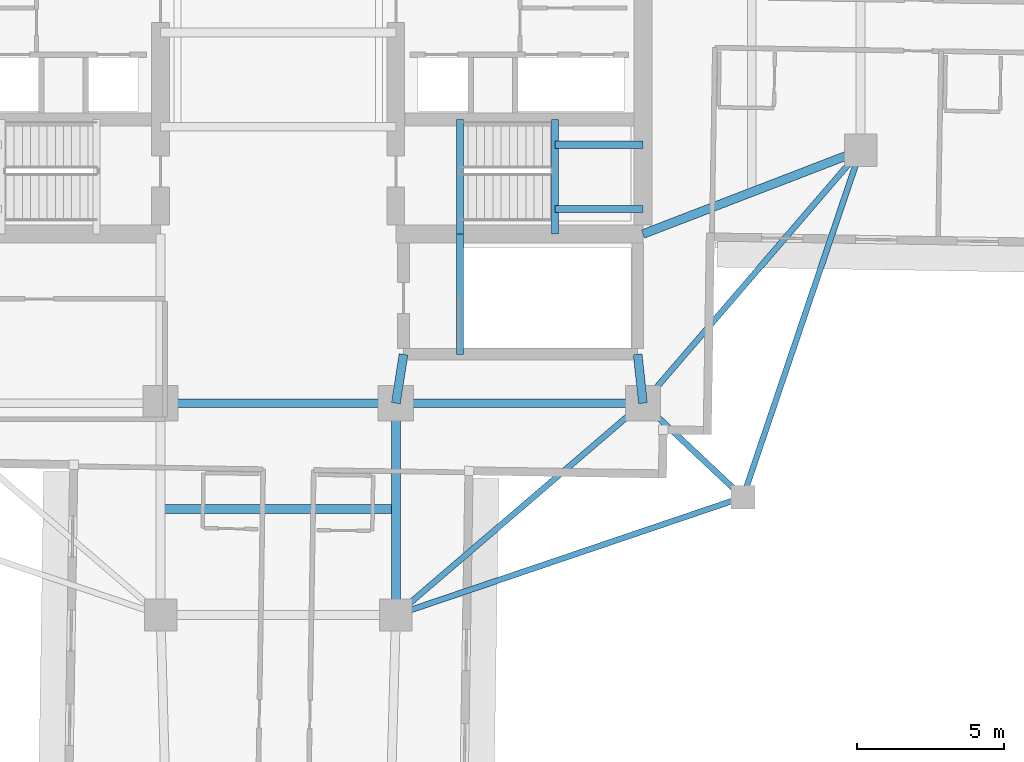
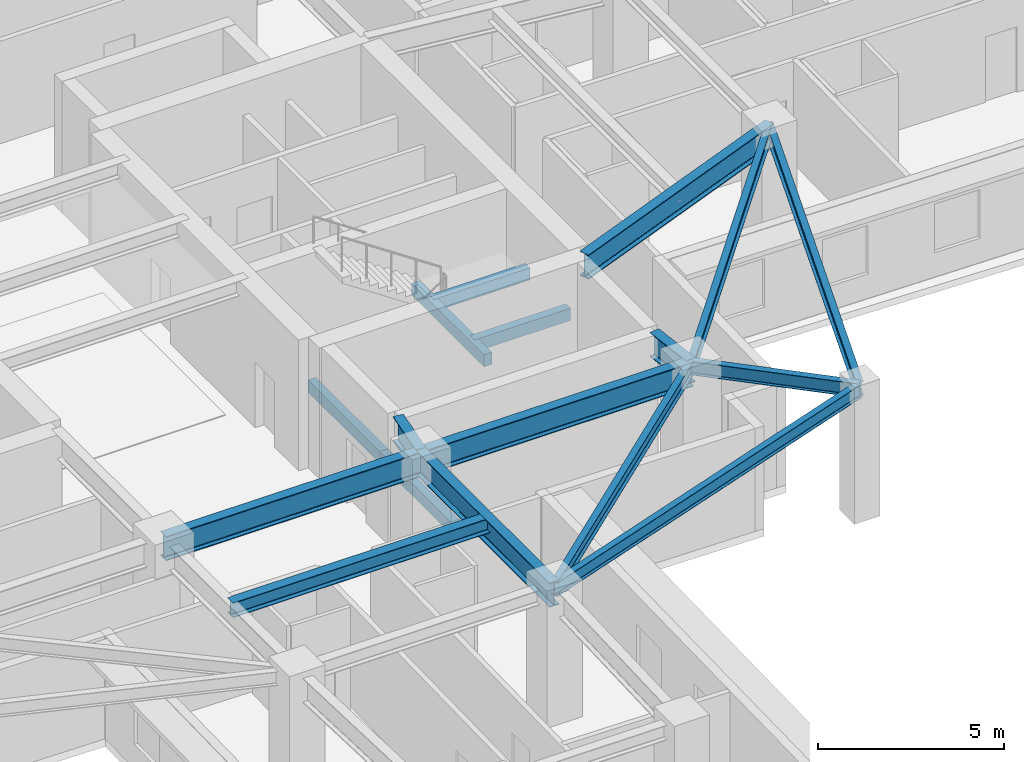
# One storey, part 5 of 22: 17 beams.
"""IFC4 building model written with IfcOpenShell, lengths in metres."""

import ifcopenshell
import ifcopenshell.guid

model = None  # the IFC model being written
_history = None  # IfcOwnerHistory: only IFC2X3 demands one
_inside = {}  # id of a spatial element -> (the spatial element, [elements in it])
_under = {}  # id of a project, library or spatial element -> (it, [spatial elements below it])
_declared = {}  # id of a project -> (the project, [libraries it declares])
_typed = {}  # id of a type object -> (the type object, [elements of that type])
_made_of = {}  # id of a material, layer set ... -> (it, [elements and type objects made of it])


def new_model(schema):
    """Start an empty IFC model of exactly this schema.

    Asked for "IFC4X3", IfcOpenShell would pick the latest addendum, in which some entities
    have other attributes; the version numbers below select the first issue.
    IFC2X3 requires an IfcOwnerHistory on every rooted entity: one is made here for all.
    """
    global model, _history
    if schema == "IFC4X3":
        model = ifcopenshell.file(schema_version=(4, 3, 0, 0))
    else:
        model = ifcopenshell.file(schema=schema)
    _inside.clear()
    _under.clear()
    _declared.clear()
    _typed.clear()
    _made_of.clear()
    _history = None
    if model.schema == "IFC2X3":
        org = make("IfcOrganization", Name="unknown")
        user = make(
            "IfcPersonAndOrganization",
            ThePerson=make("IfcPerson", FamilyName="unknown"),
            TheOrganization=org,
        )
        app = make(
            "IfcApplication",
            ApplicationDeveloper=org,
            Version="unknown",
            ApplicationFullName="unknown",
            ApplicationIdentifier="unknown",
        )
        _history = make(
            "IfcOwnerHistory",
            OwningUser=user,
            OwningApplication=app,
            ChangeAction="ADDED",
            CreationDate=0,
        )
    return model


def make(cls, **values):
    """One entity of the class cls with the attributes given. An attribute that is None is left unset."""
    return model.create_entity(
        cls, **{name: value for name, value in values.items() if value is not None}
    )


def rooted(cls, **values):
    """An entity with a GlobalId (a new one), such as an element, a storey or a relation."""
    return make(cls, GlobalId=ifcopenshell.guid.new(), OwnerHistory=_history, **values)


def si_unit(unit_type, name, prefix=None):
    """IfcSIUnit, for example si_unit("LENGTHUNIT", "METRE", prefix="MILLI")."""
    return make("IfcSIUnit", UnitType=unit_type, Prefix=prefix, Name=name)


def assignment(units):
    """IfcUnitAssignment: the units of a project."""
    return None if units is None else make("IfcUnitAssignment", Units=units)


def point(xyz):
    """IfcCartesianPoint."""
    return None if xyz is None else make("IfcCartesianPoint", Coordinates=xyz)


def direction(xyz):
    """IfcDirection."""
    return None if xyz is None else make("IfcDirection", DirectionRatios=xyz)


def frame(location, z_axis=None, x_axis=None):
    """IfcAxis2Placement3D, a coordinate frame: its origin and axes. An axis left out is left unset."""
    return make(
        "IfcAxis2Placement3D",
        Location=point(location),
        Axis=direction(z_axis),
        RefDirection=direction(x_axis),
    )


def frame_2d(location, x_axis=None):
    """IfcAxis2Placement2D, a coordinate frame in the plane: its origin and x axis."""
    return make(
        "IfcAxis2Placement2D", Location=point(location), RefDirection=direction(x_axis)
    )


def origin():
    """The frame at (0, 0, 0) with its axes left unset."""
    return frame((0.0, 0.0, 0.0))


def origin_2d():
    """The frame at (0, 0) in the plane with its x axis left unset."""
    return frame_2d((0.0, 0.0))


def place(relative_to, where):
    """IfcLocalPlacement: puts the frame where relative to a parent placement (None: the world)."""
    return make(
        "IfcLocalPlacement", PlacementRelTo=relative_to, RelativePlacement=where
    )


def context(
    kind, dimensions, precision=None, world=None, true_north=None, identifier=None
):
    """IfcGeometricRepresentationContext, for example the 3D "Model" context."""
    return make(
        "IfcGeometricRepresentationContext",
        ContextIdentifier=identifier,
        ContextType=kind,
        CoordinateSpaceDimension=dimensions,
        Precision=precision,
        WorldCoordinateSystem=world,
        TrueNorth=true_north,
    )


def subcontext(parent, identifier, kind, view, scale=None):
    """IfcGeometricRepresentationSubContext, for example "Body" below "Model"."""
    return make(
        "IfcGeometricRepresentationSubContext",
        ContextIdentifier=identifier,
        ContextType=kind,
        ParentContext=parent,
        TargetScale=scale,
        TargetView=view,
    )


def project(units=None, contexts=None):
    """IfcProject with its units and contexts."""
    return rooted(
        "IfcProject",
        Name="project",
        RepresentationContexts=contexts,
        UnitsInContext=assignment(units),
    )


def spatial(cls, under=None, at=None, **own):
    """A site, building, storey or space (cls), placed at a placement, below another one or the project."""
    s = rooted(cls, ObjectPlacement=at, **own)
    if under is not None:
        _under.setdefault(under.id(), (under, []))[1].append(s)
    return s


def profile(cls, at=None, kind="AREA", **sizes):
    """A parametric profile (cls). Its sizes go by their IFC names, for example OverallWidth=200.0."""
    return make(cls, ProfileType=kind, Position=at, **sizes)


def rectangle(**sizes):
    """IfcRectangleProfileDef."""
    return profile("IfcRectangleProfileDef", **sizes)


def i_section(**sizes):
    """IfcIShapeProfileDef."""
    return profile("IfcIShapeProfileDef", **sizes)


def extrude(swept, where, along, depth):
    """IfcExtrudedAreaSolid: the profile swept, set in the frame where, extruded along a direction by depth."""
    return make(
        "IfcExtrudedAreaSolid",
        SweptArea=swept,
        Position=where,
        ExtrudedDirection=direction(along),
        Depth=depth,
    )


def shape(context_of_items, identifier, shape_type, items):
    """IfcShapeRepresentation: the items that make up one representation, for example the "Body"."""
    return make(
        "IfcShapeRepresentation",
        ContextOfItems=context_of_items,
        RepresentationIdentifier=identifier,
        RepresentationType=shape_type,
        Items=items,
    )


def material(Name=None, Category=None):
    """IfcMaterial."""
    return make("IfcMaterial", Name=Name, Category=Category)


def material_profile(
    of_material, cross_section, Name=None, Category=None, Priority=None
):
    """IfcMaterialProfile: a cross section and its material."""
    return make(
        "IfcMaterialProfile",
        Name=Name,
        Material=of_material,
        Profile=cross_section,
        Priority=Priority,
        Category=Category,
    )


def profile_set(profiles, Name=None, composite=None):
    """IfcMaterialProfileSet."""
    return make(
        "IfcMaterialProfileSet",
        Name=Name,
        MaterialProfiles=profiles,
        CompositeProfile=composite,
    )


def made_of(thing, what):
    """Note that an element or type object is made of a material, layer set ...; save() writes the relation."""
    if what is not None:
        _made_of.setdefault(what.id(), (what, []))[1].append(thing)
    return thing


def type_object(cls, material=None, **own):
    """A type object (cls), such as IfcWallType, which elements share."""
    return made_of(rooted(cls, **own), material)


def element(
    cls,
    number,
    at=None,
    inside=None,
    cuts=None,
    type_object=None,
    material=None,
    context=None,
    identifier="Body",
    shape_type=None,
    held_by="IfcProductDefinitionShape",
    body=None,
    shapes=None,
    **own,
):
    """One element of the class cls, such as IfcWall. Its Tag is "e" and its number.

    at: its placement. inside: the storey or other place that contains it. cuts: it is an
    opening in that element (IfcRelVoidsElement). A single representation is given by context,
    identifier, shape_type and body (its items); several are given by shapes. held_by: the class
    of the entity that holds the representations. save() writes the other relations.
    """
    e = rooted(cls, Tag="e%d" % number, ObjectPlacement=at, **own)
    if body is not None:
        shapes = [shape(context, identifier, shape_type, body)]
    if shapes is not None:
        e.Representation = make(held_by, Representations=shapes)
    if inside is not None:
        _inside.setdefault(inside.id(), (inside, []))[1].append(e)
    if cuts is not None:
        rooted(
            "IfcRelVoidsElement", RelatingBuildingElement=cuts, RelatedOpeningElement=e
        )
    if type_object is not None:
        _typed.setdefault(type_object.id(), (type_object, []))[1].append(e)
    return made_of(e, material)


def aggregate(whole, parts):
    """IfcRelAggregates: a whole, such as a stair, and the parts it consists of."""
    return rooted("IfcRelAggregates", RelatingObject=whole, RelatedObjects=parts)


def save(model, path):
    """Write the relations noted so far, then the file.

    IfcRelAggregates (storeys below a building ...), IfcRelContainedInSpatialStructure (elements
    in a storey), IfcRelDefinesByType, IfcRelAssociatesMaterial and IfcRelDeclares: one each for
    every whole, place, type object, material and project.
    """
    for whole, parts in _under.values():
        aggregate(whole, parts)
    for where, things in _inside.values():
        rooted(
            "IfcRelContainedInSpatialStructure",
            RelatedElements=things,
            RelatingStructure=where,
        )
    for kind, things in _typed.values():
        rooted("IfcRelDefinesByType", RelatedObjects=things, RelatingType=kind)
    for what, things in _made_of.values():
        rooted("IfcRelAssociatesMaterial", RelatedObjects=things, RelatingMaterial=what)
    for by, libraries in _declared.values():
        rooted("IfcRelDeclares", RelatingContext=by, RelatedDefinitions=libraries)
    model.write(path)


model = new_model("IFC4")

# Units and contexts
model_context = context("Model", 3, precision=1e-05, world=origin(), true_north=direction((0.0, 1.0)))
body_context = subcontext(model_context, "Body", "Model", "MODEL_VIEW")
ifc_project = project(units=[si_unit("LENGTHUNIT", "METRE"), si_unit("AREAUNIT", "SQUARE_METRE"), si_unit("VOLUMEUNIT", "CUBIC_METRE"), si_unit("PLANEANGLEUNIT", "RADIAN"), si_unit("MASSUNIT", "GRAM", prefix="KILO")], contexts=[model_context])

# Site, building, storey
site_placement = place(None, origin())
site = spatial("IfcSite", under=ifc_project, at=site_placement, CompositionType="ELEMENT")
building_placement = place(site_placement, origin())
building = spatial("IfcBuilding", under=site, at=building_placement, Name="Qingluan Cross Belvedere", CompositionType="ELEMENT")
storey_placement = place(building_placement, frame((0.0, 0.0, 100.199951171875)))
storey = spatial("IfcBuildingStorey", under=building, at=storey_placement, Name="L25", CompositionType="ELEMENT", Elevation=100.199951171875)

# Beams
ifc_material_1 = material(Name="Concrete C45", Category="concrete")
ifc_material_profile_1 = material_profile(ifc_material_1, rectangle(XDim=0.25, YDim=0.39990234375, at=origin_2d()), Name="RC250x400")
ifc_profile_set_1 = profile_set([ifc_material_profile_1], Name="Concrete C45")
beam_type_1 = type_object("IfcBeamType", Name="RC_Lintel_RC250x400", PredefinedType="LINTEL", material=ifc_profile_set_1)
beam_1_placement = place(storey_placement, frame((6.179931640625, -6.85009765625, -0.199951171875), z_axis=(0.0, 1.0, 0.0), x_axis=(-1.0, 0.0, 0.0)))
element("IfcBeam", 1, at=beam_1_placement, inside=storey, type_object=beam_type_1, Name="Stair ST2 landing beam L25", PredefinedType="LINTEL", context=body_context, shape_type="SweptSolid", body=[
    extrude(rectangle(XDim=0.25, YDim=0.39990234375, at=origin_2d()), origin(), (0.0, 0.0, 1.0), 3.89013671875),
])
beam_2_placement = place(storey_placement, frame((6.179931640625, -10.93994140625, -0.199951171875), z_axis=(0.0, 1.0, 0.0), x_axis=(-1.0, 0.0, 0.0)))
element("IfcBeam", 2, at=beam_2_placement, inside=storey, type_object=beam_type_1, Name="Stair ST4 landing beam L25", PredefinedType="LINTEL", context=body_context, shape_type="SweptSolid", body=[
    extrude(rectangle(XDim=0.25, YDim=0.39990234375, at=origin_2d()), origin(), (0.0, 0.0, 1.0), 4.08984375),
])
beam_3_placement = place(storey_placement, frame((9.409912109375, -6.85009765625, 1.85009765625), z_axis=(0.0, 1.0, 0.0), x_axis=(-1.0, 0.0, 0.0)))
element("IfcBeam", 3, at=beam_3_placement, inside=storey, type_object=beam_type_1, Name="Stair ST2 beam A L25", PredefinedType="LINTEL", context=body_context, shape_type="SweptSolid", body=[
    extrude(rectangle(XDim=0.25, YDim=0.39990234375, at=origin_2d()), origin(), (0.0, 0.0, 1.0), 3.89013671875),
])
for number, where, z_axis, x_axis, name in (
    (4, (12.39990234375, -6.0, 1.85009765625), (-1.0, 0.0, 0.0), (0.0, -1.0, 0.0), "Stair ST2 beam B L25"),
    (5, (12.39990234375, -3.81005859375, 1.85009765625), (-1.0, 0.0, 0.0), (0.0, -1.0, 0.0), "Stair ST2 beam C L25"),
):
    element("IfcBeam", number, at=place(storey_placement, frame(where, z_axis=z_axis, x_axis=x_axis)), inside=storey, type_object=beam_type_1, Name=name, PredefinedType="LINTEL", context=body_context, shape_type="SweptSolid", body=[
        extrude(rectangle(XDim=0.25, YDim=0.39990234375, at=origin_2d()), origin(), (0.0, 0.0, 1.0), 2.989990234375),
    ])
ifc_material_2 = material(Name="Steel Q420GJB", Category="steel")
ifc_material_profile_2 = material_profile(ifc_material_2, i_section(OverallWidth=0.300048828125, OverallDepth=0.488037109375, WebThickness=0.010986328125, FlangeThickness=0.01806640625, FilletRadius=0.02197265625, at=origin_2d()), Name="HM488x300x11x18")
ifc_profile_set_2 = profile_set([ifc_material_profile_2], Name="Steel Q420GJB")
beam_type_2 = type_object("IfcBeamType", Name="Steel_Beam_HM488x300x11x18", PredefinedType="BEAM", material=ifc_profile_set_2)
beam_4_placement = place(storey_placement, frame((-4.0, -16.199951171875, 4.05615234375), z_axis=(1.0, 0.0, 0.0), x_axis=(0.0, 1.0, 0.0)))
element("IfcBeam", 6, at=beam_4_placement, inside=storey, type_object=beam_type_2, Name="Arm S beam L25", PredefinedType="BEAM", context=body_context, shape_type="SweptSolid", body=[
    extrude(i_section(OverallWidth=0.300048828125, OverallDepth=0.488037109375, WebThickness=0.010986328125, FlangeThickness=0.01806640625, FilletRadius=0.02197265625, at=origin_2d()), origin(), (0.0, 0.0, 1.0), 8.0),
])
ifc_material_3 = material(Name="Steel Q420GJB", Category="steel")
ifc_material_profile_3 = material_profile(ifc_material_3, i_section(OverallWidth=0.199951171875, OverallDepth=0.449951171875, WebThickness=0.009033203125, FlangeThickness=0.013916015625, FilletRadius=0.01611328125, at=origin_2d()), Name="HN450x200x9x14")
ifc_profile_set_3 = profile_set([ifc_material_profile_3], Name="Steel Q420GJB")
beam_type_3 = type_object("IfcBeamType", Name="Steel_Beam_HN450x200x9x14", PredefinedType="JOIST", material=ifc_profile_set_3)
beam_5_placement = place(storey_placement, frame((12.39990234375, -12.60009765625, 4.074951171875), z_axis=(0.728219948308, -0.685343495546, 0.0), x_axis=(0.685343495546, 0.728219948308, 0.0)))
element("IfcBeam", 7, at=beam_5_placement, inside=storey, type_object=beam_type_3, Name="Corner beam 1 L25-RSE", PredefinedType="JOIST", context=body_context, shape_type="SweptSolid", body=[
    extrude(i_section(OverallWidth=0.199951171875, OverallDepth=0.449951171875, WebThickness=0.009033203125, FlangeThickness=0.013916015625, FilletRadius=0.01611328125, at=origin_2d()), origin(), (0.0, 0.0, 1.0), 4.669189453125),
])
for number, where, z_axis, x_axis, name in (
    (8, (15.800048828125, -15.800048828125, 4.074951171875), (-0.947066283324, -0.321038089628, 0.0), (0.321038089628, -0.947066283324, 0.0), "Corner beam 2 L25-RSE"),
    (9, (15.800048828125, -15.800048828125, 4.074951171875), (0.321038089628, 0.947066283324, 0.0), (-0.947066283324, 0.321038089628, 0.0), "Corner beam 3 L25-RSE"),
):
    element("IfcBeam", number, at=place(storey_placement, frame(where, z_axis=z_axis, x_axis=x_axis)), inside=storey, type_object=beam_type_3, Name=name, PredefinedType="JOIST", context=body_context, shape_type="SweptSolid", body=[
        extrude(i_section(OverallWidth=0.199951171875, OverallDepth=0.449951171875, WebThickness=0.009033203125, FlangeThickness=0.013916015625, FilletRadius=0.01611328125, at=origin_2d()), origin(), (0.0, 0.0, 1.0), 12.45947265625),
    ])
beam_6_placement = place(storey_placement, frame((12.39990234375, -12.60009765625, 4.074951171875), z_axis=(0.652245077546, 0.75800815221, 0.0), x_axis=(-0.75800815221, 0.652245077546, 0.0)))
element("IfcBeam", 10, at=beam_6_placement, inside=storey, type_object=beam_type_3, Name="Corner beam 4 L25-RSE", PredefinedType="JOIST", context=body_context, shape_type="SweptSolid", body=[
    extrude(i_section(OverallWidth=0.199951171875, OverallDepth=0.449951171875, WebThickness=0.009033203125, FlangeThickness=0.013916015625, FilletRadius=0.01611328125, at=origin_2d()), origin(), (0.0, 0.0, 1.0), 11.345703125),
])
beam_7_placement = place(storey_placement, frame((12.39990234375, -12.60009765625, 4.074951171875), z_axis=(-0.759255044656, -0.650793190779, 0.0), x_axis=(0.650793190779, -0.759255044656, 0.0)))
element("IfcBeam", 11, at=beam_7_placement, inside=storey, type_object=beam_type_3, Name="Corner beam 5 L25-RSE", PredefinedType="JOIST", context=body_context, shape_type="SweptSolid", body=[
    extrude(i_section(OverallWidth=0.199951171875, OverallDepth=0.449951171875, WebThickness=0.009033203125, FlangeThickness=0.013916015625, FilletRadius=0.01611328125, at=origin_2d()), origin(), (0.0, 0.0, 1.0), 11.063232421875),
])
ifc_material_4 = material(Name="Steel Q420GJB", Category="steel")
ifc_material_profile_4 = material_profile(ifc_material_4, i_section(OverallWidth=0.300048828125, OverallDepth=0.800048828125, WebThickness=0.015380859375, FlangeThickness=0.028076171875, FilletRadius=0.030029296875, at=origin_2d()), Name="HEB800")
ifc_profile_set_4 = profile_set([ifc_material_profile_4], Name="Steel Q420GJB")
beam_type_4 = type_object("IfcBeamType", Name="Steel_Girder_HEB800", PredefinedType="USERDEFINED", material=ifc_profile_set_4)
beam_8_placement = place(storey_placement, frame((-4.0, -12.60009765625, 3.900146484375), z_axis=(1.0, 0.0, 0.0), x_axis=(0.0, 1.0, 0.0)))
element("IfcBeam", 12, at=beam_8_placement, inside=storey, type_object=beam_type_4, Name="Hub girder L25-HG-S2", ObjectType="GIRDER", PredefinedType="USERDEFINED", context=body_context, shape_type="SweptSolid", body=[
    extrude(i_section(OverallWidth=0.300048828125, OverallDepth=0.800048828125, WebThickness=0.015380859375, FlangeThickness=0.028076171875, FilletRadius=0.030029296875, at=origin_2d()), origin(), (0.0, 0.0, 1.0), 8.0),
])
beam_9_placement = place(storey_placement, frame((4.0, -12.60009765625, 3.900146484375), z_axis=(1.0, 0.0, 0.0), x_axis=(0.0, 1.0, 0.0)))
element("IfcBeam", 13, at=beam_9_placement, inside=storey, type_object=beam_type_4, Name="Hub girder L25-HG-S3", ObjectType="GIRDER", PredefinedType="USERDEFINED", context=body_context, shape_type="SweptSolid", body=[
    extrude(i_section(OverallWidth=0.300048828125, OverallDepth=0.800048828125, WebThickness=0.015380859375, FlangeThickness=0.028076171875, FilletRadius=0.030029296875, at=origin_2d()), origin(), (0.0, 0.0, 1.0), 8.39990234375),
])
beam_10_placement = place(storey_placement, frame((12.39990234375, -12.60009765625, 3.900146484375), z_axis=(-0.107751337451, 0.994177876075, 0.0), x_axis=(-0.994177876075, -0.107751337451, 0.0)))
element("IfcBeam", 14, at=beam_10_placement, inside=storey, type_object=beam_type_4, Name="Hub girder L25-HG-E1", ObjectType="GIRDER", PredefinedType="USERDEFINED", context=body_context, shape_type="SweptSolid", body=[
    extrude(i_section(OverallWidth=0.300048828125, OverallDepth=0.800048828125, WebThickness=0.015380859375, FlangeThickness=0.028076171875, FilletRadius=0.030029296875, at=origin_2d()), origin(), (0.0, 0.0, 1.0), 1.669921875),
])
beam_11_placement = place(storey_placement, frame((4.0, -12.60009765625, 3.900146484375), z_axis=(0.154731433337, 0.987956569662, 0.0), x_axis=(-0.987956569662, 0.154731433337, 0.0)))
element("IfcBeam", 15, at=beam_11_placement, inside=storey, type_object=beam_type_4, Name="Hub girder L25-HG-CE", ObjectType="GIRDER", PredefinedType="USERDEFINED", context=body_context, shape_type="SweptSolid", body=[
    extrude(i_section(OverallWidth=0.300048828125, OverallDepth=0.800048828125, WebThickness=0.015380859375, FlangeThickness=0.028076171875, FilletRadius=0.030029296875, at=origin_2d()), origin(), (0.0, 0.0, 1.0), 1.680419921875),
])
beam_12_placement = place(storey_placement, frame((12.39990234375, -6.85009765625, 3.900146484375), z_axis=(0.933181258889, 0.359406090735, 0.0), x_axis=(-0.359406090735, 0.933181258889, 0.0)))
element("IfcBeam", 16, at=beam_12_placement, inside=storey, type_object=beam_type_4, Name="Arm E radial girder A L25", ObjectType="GIRDER", PredefinedType="USERDEFINED", context=body_context, shape_type="SweptSolid", body=[
    extrude(i_section(OverallWidth=0.300048828125, OverallDepth=0.800048828125, WebThickness=0.015380859375, FlangeThickness=0.028076171875, FilletRadius=0.030029296875, at=origin_2d()), origin(), (0.0, 0.0, 1.0), 7.929931640625),
])
beam_13_placement = place(storey_placement, frame((4.0, -12.60009765625, 3.900146484375), z_axis=(0.0, -1.0, 0.0), x_axis=(1.0, 0.0, 0.0)))
element("IfcBeam", 17, at=beam_13_placement, inside=storey, type_object=beam_type_4, Name="Arm S radial girder B L25", ObjectType="GIRDER", PredefinedType="USERDEFINED", context=body_context, shape_type="SweptSolid", body=[
    extrude(i_section(OverallWidth=0.300048828125, OverallDepth=0.800048828125, WebThickness=0.015380859375, FlangeThickness=0.028076171875, FilletRadius=0.030029296875, at=origin_2d()), origin(), (0.0, 0.0, 1.0), 7.199951171875),
])

save(model, "model.ifc")
